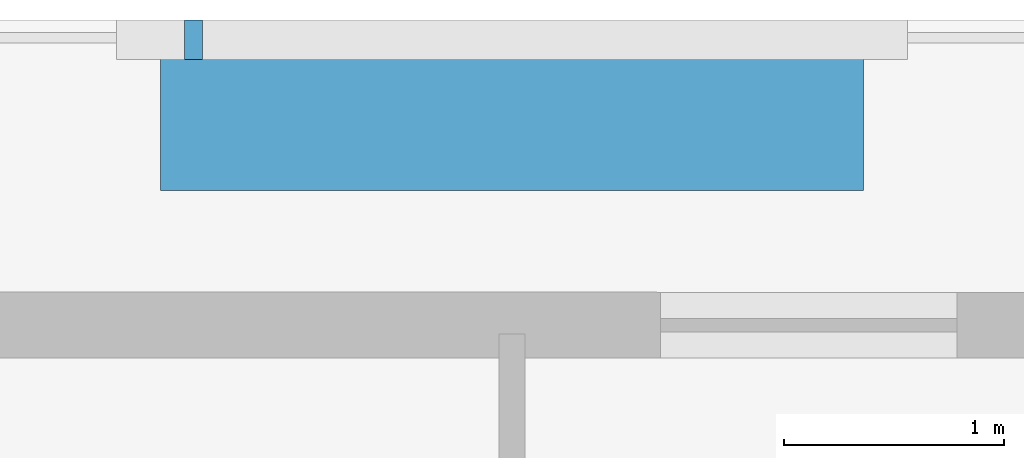
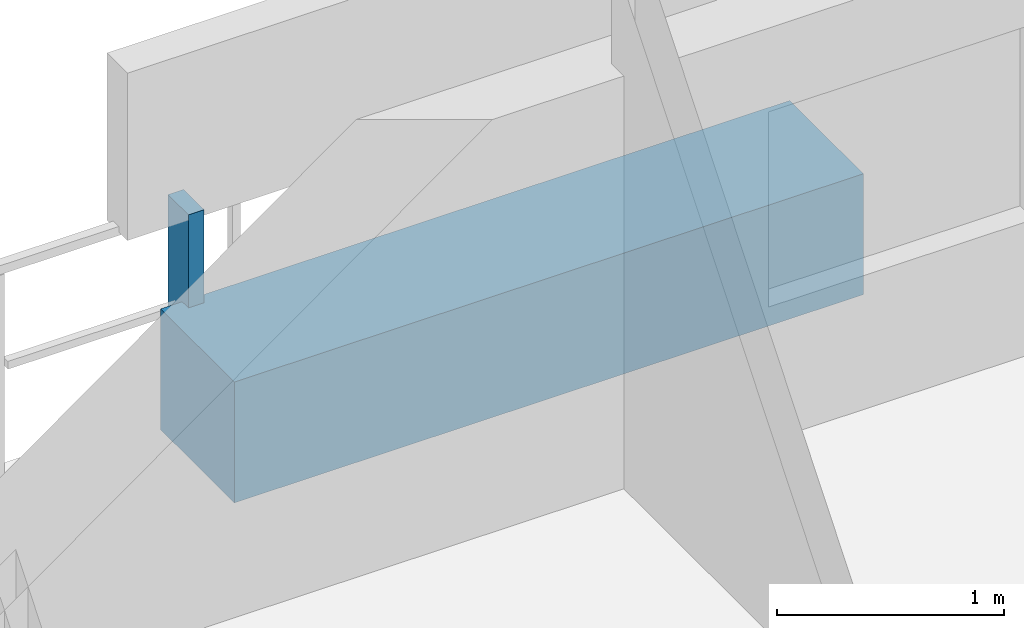
# One storey, part 32 of 36: 2 discrete accessories.
"""IFC4 building model written with IfcOpenShell, lengths in metres."""

from ifc_helpers import new_model, si_unit, direction, frame, origin, origin_2d, place, context, subcontext, project, spatial, rectangle, extrude, material, type_object, element, save


model = new_model("IFC4")

# Units and contexts
model_context = context("Model", 3, precision=1e-05, world=origin(), true_north=direction((0.0, 1.0)))
body_context = subcontext(model_context, "Body", "Model", "MODEL_VIEW")
ifc_project = project(units=[si_unit("LENGTHUNIT", "METRE"), si_unit("AREAUNIT", "SQUARE_METRE"), si_unit("VOLUMEUNIT", "CUBIC_METRE"), si_unit("PLANEANGLEUNIT", "RADIAN"), si_unit("MASSUNIT", "GRAM", prefix="KILO")], contexts=[model_context])

# Site, building, storey
site_placement = place(None, origin())
site = spatial("IfcSite", under=ifc_project, at=site_placement, CompositionType="ELEMENT")
building_placement = place(site_placement, origin())
building = spatial("IfcBuilding", under=site, at=building_placement, Name="Thornwick Lancets Civic Towers", CompositionType="ELEMENT")
storey_placement = place(building_placement, frame((0.0, 0.0, 94.5)))
storey = spatial("IfcBuildingStorey", under=building, at=storey_placement, Name="L24", CompositionType="ELEMENT", Elevation=94.5)

# Discrete accessories
ifc_material_1 = material(Name="Planted terracotta greenery planter", Category="masonry")
discrete_accessory_type_1 = type_object("IfcDiscreteAccessoryType", Name="ACC_PLANTER_BOX", PredefinedType="USERDEFINED", material=ifc_material_1)
discrete_accessory_1_placement = place(storey_placement, frame((88.5, 51.89990234375, 0.0), z_axis=(0.0, 0.0, 1.0), x_axis=(1.0, 0.0, 0.0)))
element("IfcDiscreteAccessory", 1, at=discrete_accessory_1_placement, inside=storey, type_object=discrete_accessory_type_1, Name="L24 Tower B Balcony Greenery Planter N", ObjectType="PLANTER", PredefinedType="USERDEFINED", context=body_context, shape_type="SweptSolid", body=[
    extrude(rectangle(XDim=3.199951171875, YDim=0.64990234375, at=origin_2d()), origin(), (0.0, 0.0, 1.0), 0.64990234375),
])
ifc_material_2 = material(Name="Stainless steel S355", Category="steel")
discrete_accessory_type_2 = type_object("IfcDiscreteAccessoryType", Name="ACC_SCREEN_BRACKET", PredefinedType="BRACKET", material=ifc_material_2)
discrete_accessory_2_placement = place(storey_placement, frame((87.050048828125, 52.260009765625, 0.0), z_axis=(0.0, 0.0, 1.0), x_axis=(1.0, 0.0, 0.0)))
element("IfcDiscreteAccessory", 2, at=discrete_accessory_2_placement, inside=storey, type_object=discrete_accessory_type_2, Name="L24 Tower B Balcony Screen Stanchion Bracket N-1", PredefinedType="BRACKET", context=body_context, shape_type="SweptSolid", body=[
    extrude(rectangle(XDim=0.080078125, YDim=0.179931640625, at=origin_2d()), origin(), (0.0, 0.0, 1.0), 1.14990234375),
])

save(model, "model.ifc")
